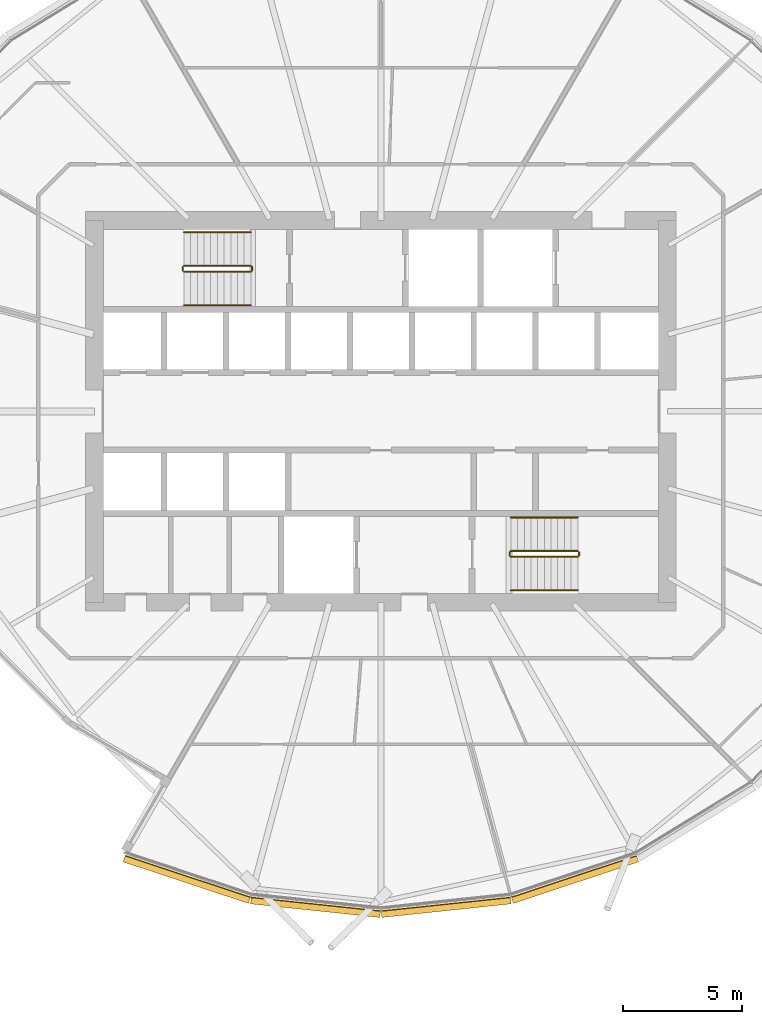
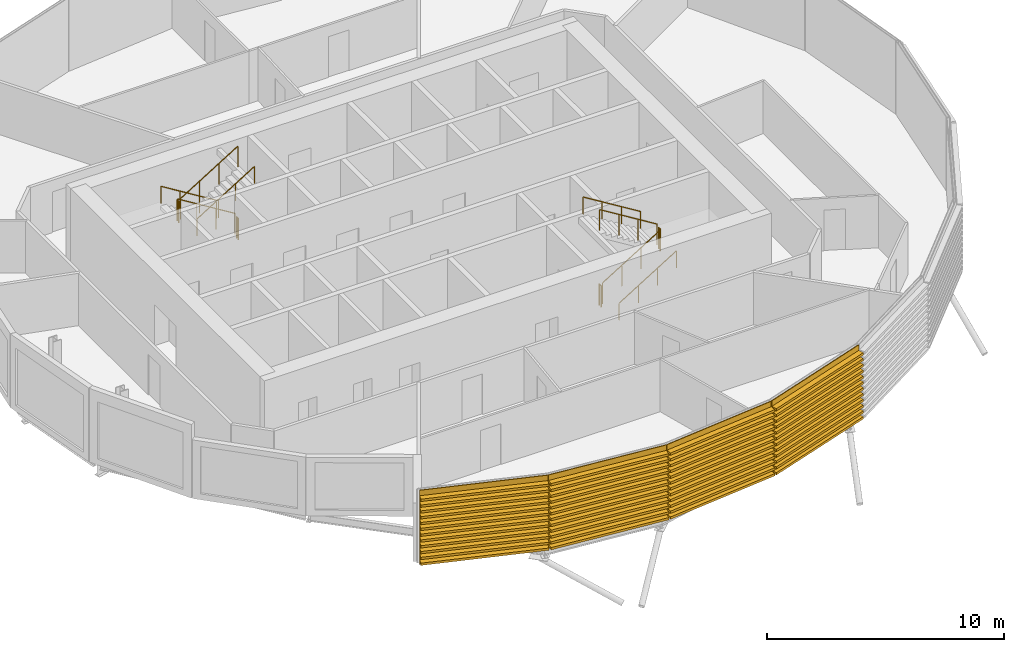
# One storey, part 35 of 39: 12 railings, 4 coverings.
"""IFC4 building model written with IfcOpenShell, lengths in metres."""

import ifcopenshell
import ifcopenshell.guid

model = None  # the IFC model being written
_history = None  # IfcOwnerHistory: only IFC2X3 demands one
_inside = {}  # id of a spatial element -> (the spatial element, [elements in it])
_under = {}  # id of a project, library or spatial element -> (it, [spatial elements below it])
_declared = {}  # id of a project -> (the project, [libraries it declares])
_typed = {}  # id of a type object -> (the type object, [elements of that type])
_made_of = {}  # id of a material, layer set ... -> (it, [elements and type objects made of it])


def new_model(schema):
    """Start an empty IFC model of exactly this schema.

    Asked for "IFC4X3", IfcOpenShell would pick the latest addendum, in which some entities
    have other attributes; the version numbers below select the first issue.
    IFC2X3 requires an IfcOwnerHistory on every rooted entity: one is made here for all.
    """
    global model, _history
    if schema == "IFC4X3":
        model = ifcopenshell.file(schema_version=(4, 3, 0, 0))
    else:
        model = ifcopenshell.file(schema=schema)
    _inside.clear()
    _under.clear()
    _declared.clear()
    _typed.clear()
    _made_of.clear()
    _history = None
    if model.schema == "IFC2X3":
        org = make("IfcOrganization", Name="unknown")
        user = make(
            "IfcPersonAndOrganization",
            ThePerson=make("IfcPerson", FamilyName="unknown"),
            TheOrganization=org,
        )
        app = make(
            "IfcApplication",
            ApplicationDeveloper=org,
            Version="unknown",
            ApplicationFullName="unknown",
            ApplicationIdentifier="unknown",
        )
        _history = make(
            "IfcOwnerHistory",
            OwningUser=user,
            OwningApplication=app,
            ChangeAction="ADDED",
            CreationDate=0,
        )
    return model


def make(cls, **values):
    """One entity of the class cls with the attributes given. An attribute that is None is left unset."""
    return model.create_entity(
        cls, **{name: value for name, value in values.items() if value is not None}
    )


def rooted(cls, **values):
    """An entity with a GlobalId (a new one), such as an element, a storey or a relation."""
    return make(cls, GlobalId=ifcopenshell.guid.new(), OwnerHistory=_history, **values)


def si_unit(unit_type, name, prefix=None):
    """IfcSIUnit, for example si_unit("LENGTHUNIT", "METRE", prefix="MILLI")."""
    return make("IfcSIUnit", UnitType=unit_type, Prefix=prefix, Name=name)


def assignment(units):
    """IfcUnitAssignment: the units of a project."""
    return None if units is None else make("IfcUnitAssignment", Units=units)


def point(xyz):
    """IfcCartesianPoint."""
    return None if xyz is None else make("IfcCartesianPoint", Coordinates=xyz)


def direction(xyz):
    """IfcDirection."""
    return None if xyz is None else make("IfcDirection", DirectionRatios=xyz)


def frame(location, z_axis=None, x_axis=None):
    """IfcAxis2Placement3D, a coordinate frame: its origin and axes. An axis left out is left unset."""
    return make(
        "IfcAxis2Placement3D",
        Location=point(location),
        Axis=direction(z_axis),
        RefDirection=direction(x_axis),
    )


def frame_2d(location, x_axis=None):
    """IfcAxis2Placement2D, a coordinate frame in the plane: its origin and x axis."""
    return make(
        "IfcAxis2Placement2D", Location=point(location), RefDirection=direction(x_axis)
    )


def origin():
    """The frame at (0, 0, 0) with its axes left unset."""
    return frame((0.0, 0.0, 0.0))


def origin_2d():
    """The frame at (0, 0) in the plane with its x axis left unset."""
    return frame_2d((0.0, 0.0))


def place(relative_to, where):
    """IfcLocalPlacement: puts the frame where relative to a parent placement (None: the world)."""
    return make(
        "IfcLocalPlacement", PlacementRelTo=relative_to, RelativePlacement=where
    )


def context(
    kind, dimensions, precision=None, world=None, true_north=None, identifier=None
):
    """IfcGeometricRepresentationContext, for example the 3D "Model" context."""
    return make(
        "IfcGeometricRepresentationContext",
        ContextIdentifier=identifier,
        ContextType=kind,
        CoordinateSpaceDimension=dimensions,
        Precision=precision,
        WorldCoordinateSystem=world,
        TrueNorth=true_north,
    )


def subcontext(parent, identifier, kind, view, scale=None):
    """IfcGeometricRepresentationSubContext, for example "Body" below "Model"."""
    return make(
        "IfcGeometricRepresentationSubContext",
        ContextIdentifier=identifier,
        ContextType=kind,
        ParentContext=parent,
        TargetScale=scale,
        TargetView=view,
    )


def project(units=None, contexts=None):
    """IfcProject with its units and contexts."""
    return rooted(
        "IfcProject",
        Name="project",
        RepresentationContexts=contexts,
        UnitsInContext=assignment(units),
    )


def spatial(cls, under=None, at=None, **own):
    """A site, building, storey or space (cls), placed at a placement, below another one or the project."""
    s = rooted(cls, ObjectPlacement=at, **own)
    if under is not None:
        _under.setdefault(under.id(), (under, []))[1].append(s)
    return s


def polyline(points):
    """IfcPolyline through the points."""
    return make("IfcPolyline", Points=[point(p) for p in points])


def profile(cls, at=None, kind="AREA", **sizes):
    """A parametric profile (cls). Its sizes go by their IFC names, for example OverallWidth=200.0."""
    return make(cls, ProfileType=kind, Position=at, **sizes)


def circle(**sizes):
    """IfcCircleProfileDef."""
    return profile("IfcCircleProfileDef", **sizes)


def outline(outer, holes=None, kind="AREA"):
    """IfcArbitraryClosedProfileDef: a profile drawn as a closed curve; with holes, ...WithVoids."""
    if holes is None:
        return make("IfcArbitraryClosedProfileDef", ProfileType=kind, OuterCurve=outer)
    return make(
        "IfcArbitraryProfileDefWithVoids",
        ProfileType=kind,
        OuterCurve=outer,
        InnerCurves=holes,
    )


def extrude(swept, where, along, depth):
    """IfcExtrudedAreaSolid: the profile swept, set in the frame where, extruded along a direction by depth."""
    return make(
        "IfcExtrudedAreaSolid",
        SweptArea=swept,
        Position=where,
        ExtrudedDirection=direction(along),
        Depth=depth,
    )


def shape(context_of_items, identifier, shape_type, items):
    """IfcShapeRepresentation: the items that make up one representation, for example the "Body"."""
    return make(
        "IfcShapeRepresentation",
        ContextOfItems=context_of_items,
        RepresentationIdentifier=identifier,
        RepresentationType=shape_type,
        Items=items,
    )


def material(Name=None, Category=None):
    """IfcMaterial."""
    return make("IfcMaterial", Name=Name, Category=Category)


def material_profile(
    of_material, cross_section, Name=None, Category=None, Priority=None
):
    """IfcMaterialProfile: a cross section and its material."""
    return make(
        "IfcMaterialProfile",
        Name=Name,
        Material=of_material,
        Profile=cross_section,
        Priority=Priority,
        Category=Category,
    )


def profile_set(profiles, Name=None, composite=None):
    """IfcMaterialProfileSet."""
    return make(
        "IfcMaterialProfileSet",
        Name=Name,
        MaterialProfiles=profiles,
        CompositeProfile=composite,
    )


def made_of(thing, what):
    """Note that an element or type object is made of a material, layer set ...; save() writes the relation."""
    if what is not None:
        _made_of.setdefault(what.id(), (what, []))[1].append(thing)
    return thing


def type_object(cls, material=None, **own):
    """A type object (cls), such as IfcWallType, which elements share."""
    return made_of(rooted(cls, **own), material)


def element(
    cls,
    number,
    at=None,
    inside=None,
    cuts=None,
    type_object=None,
    material=None,
    context=None,
    identifier="Body",
    shape_type=None,
    held_by="IfcProductDefinitionShape",
    body=None,
    shapes=None,
    **own,
):
    """One element of the class cls, such as IfcWall. Its Tag is "e" and its number.

    at: its placement. inside: the storey or other place that contains it. cuts: it is an
    opening in that element (IfcRelVoidsElement). A single representation is given by context,
    identifier, shape_type and body (its items); several are given by shapes. held_by: the class
    of the entity that holds the representations. save() writes the other relations.
    """
    e = rooted(cls, Tag="e%d" % number, ObjectPlacement=at, **own)
    if body is not None:
        shapes = [shape(context, identifier, shape_type, body)]
    if shapes is not None:
        e.Representation = make(held_by, Representations=shapes)
    if inside is not None:
        _inside.setdefault(inside.id(), (inside, []))[1].append(e)
    if cuts is not None:
        rooted(
            "IfcRelVoidsElement", RelatingBuildingElement=cuts, RelatedOpeningElement=e
        )
    if type_object is not None:
        _typed.setdefault(type_object.id(), (type_object, []))[1].append(e)
    return made_of(e, material)


def aggregate(whole, parts):
    """IfcRelAggregates: a whole, such as a stair, and the parts it consists of."""
    return rooted("IfcRelAggregates", RelatingObject=whole, RelatedObjects=parts)


def save(model, path):
    """Write the relations noted so far, then the file.

    IfcRelAggregates (storeys below a building ...), IfcRelContainedInSpatialStructure (elements
    in a storey), IfcRelDefinesByType, IfcRelAssociatesMaterial and IfcRelDeclares: one each for
    every whole, place, type object, material and project.
    """
    for whole, parts in _under.values():
        aggregate(whole, parts)
    for where, things in _inside.values():
        rooted(
            "IfcRelContainedInSpatialStructure",
            RelatedElements=things,
            RelatingStructure=where,
        )
    for kind, things in _typed.values():
        rooted("IfcRelDefinesByType", RelatedObjects=things, RelatingType=kind)
    for what, things in _made_of.values():
        rooted("IfcRelAssociatesMaterial", RelatedObjects=things, RelatingMaterial=what)
    for by, libraries in _declared.values():
        rooted("IfcRelDeclares", RelatingContext=by, RelatedDefinitions=libraries)
    model.write(path)


model = new_model("IFC4")

# Units and contexts
model_context = context("Model", 3, precision=1e-05, world=origin(), true_north=direction((0.0, 1.0)))
body_context = subcontext(model_context, "Body", "Model", "MODEL_VIEW")
ifc_project = project(units=[si_unit("LENGTHUNIT", "METRE"), si_unit("AREAUNIT", "SQUARE_METRE"), si_unit("VOLUMEUNIT", "CUBIC_METRE"), si_unit("PLANEANGLEUNIT", "RADIAN"), si_unit("MASSUNIT", "GRAM", prefix="KILO")], contexts=[model_context])

# Site, building, storey
site_placement = place(None, origin())
site = spatial("IfcSite", under=ifc_project, at=site_placement, CompositionType="ELEMENT")
building_placement = place(site_placement, origin())
building = spatial("IfcBuilding", under=site, at=building_placement, Name="Rimbun Link Towers", CompositionType="ELEMENT")
storey_placement = place(building_placement, frame((0.0, 0.0, 112.0)))
storey = spatial("IfcBuildingStorey", under=building, at=storey_placement, Name="L27", CompositionType="ELEMENT", Elevation=112.0)

# Railings
ifc_material_1 = material(Name="Stainless steel grade 316", Category="steel")
railing_type_1 = type_object("IfcRailingType", Name="Stair guard", PredefinedType="GUARDRAIL", material=ifc_material_1)
railing_1_placement = place(storey_placement, frame((-37.199951171875, 6.10009765625, 0.172607421875)))
element("IfcRailing", 1, at=railing_1_placement, inside=storey, type_object=railing_type_1, Name="L27 ST1 stair guard 1", PredefinedType="GUARDRAIL", context=body_context, shape_type="SweptSolid", body=[
    extrude(circle(Radius=0.02392578125, at=origin_2d()), frame((0.0, 0.0, 1.076171875), z_axis=(-0.851089632645, 0.0, 0.525020415988), x_axis=(0.0, -1.0, 0.0)), (0.0, 0.0, 1.0), 3.2900390625),
    extrude(circle(Radius=0.02099609375, at=origin_2d()), origin(), (0.0, 0.0, 1.0), 1.052001953125),
    extrude(circle(Radius=0.02099609375, at=origin_2d()), frame((-0.933349609375, 0.0, 0.57568359375)), (0.0, 0.0, 1.0), 1.052001953125),
    extrude(circle(Radius=0.02099609375, at=origin_2d()), frame((-1.86669921875, 0.0, 1.151611328125)), (0.0, 0.0, 1.0), 1.052001953125),
    extrude(circle(Radius=0.02099609375, at=origin_2d()), frame((-2.800048828125, 0.0, 1.727294921875)), (0.0, 0.0, 1.0), 1.052001953125),
])
railing_2_placement = place(storey_placement, frame((-40.050048828125, 6.050048828125, 1.89990234375)))
element("IfcRailing", 2, at=railing_2_placement, inside=storey, type_object=railing_type_1, Name="L27 ST1 stair guard 2", PredefinedType="GUARDRAIL", context=body_context, shape_type="SweptSolid", body=[
    extrude(circle(Radius=0.02392578125, at=origin_2d()), frame((0.0, 0.0, 1.076171875), z_axis=(0.0, -1.0, 0.0), x_axis=(1.0, 0.0, 0.0)), (0.0, 0.0, 1.0), 0.150146484375),
    extrude(circle(Radius=0.02099609375, at=origin_2d()), origin(), (0.0, 0.0, 1.0), 1.052001953125),
    extrude(circle(Radius=0.02099609375, at=origin_2d()), frame((0.0, -0.150146484375, 0.0)), (0.0, 0.0, 1.0), 1.052001953125),
])
railing_3_placement = place(storey_placement, frame((-40.0, 5.85009765625, 2.07275390625)))
element("IfcRailing", 3, at=railing_3_placement, inside=storey, type_object=railing_type_1, Name="L27 ST1 stair guard 3", PredefinedType="GUARDRAIL", context=body_context, shape_type="SweptSolid", body=[
    extrude(circle(Radius=0.02392578125, at=origin_2d()), frame((0.0, 0.0, 1.076171875), z_axis=(0.851089632645, 0.0, 0.525020415988), x_axis=(0.0, 1.0, 0.0)), (0.0, 0.0, 1.0), 3.2900390625),
    extrude(circle(Radius=0.02099609375, at=origin_2d()), origin(), (0.0, 0.0, 1.0), 1.052001953125),
    extrude(circle(Radius=0.02099609375, at=origin_2d()), frame((0.933349609375, 0.0, 0.57568359375)), (0.0, 0.0, 1.0), 1.052001953125),
    extrude(circle(Radius=0.02099609375, at=origin_2d()), frame((1.86669921875, 0.0, 1.151611328125)), (0.0, 0.0, 1.0), 1.052001953125),
    extrude(circle(Radius=0.02099609375, at=origin_2d()), frame((2.800048828125, 0.0, 1.727294921875)), (0.0, 0.0, 1.0), 1.052001953125),
])
railing_4_placement = place(storey_placement, frame((-37.14990234375, 6.050048828125, 0.0)))
element("IfcRailing", 4, at=railing_4_placement, inside=storey, type_object=railing_type_1, Name="L27 ST1 stair guard 4", PredefinedType="GUARDRAIL", context=body_context, shape_type="SweptSolid", body=[
    extrude(circle(Radius=0.02392578125, at=origin_2d()), frame((0.0, 0.0, 1.076171875), z_axis=(0.0, -1.0, 0.0), x_axis=(1.0, 0.0, 0.0)), (0.0, 0.0, 1.0), 0.150146484375),
    extrude(circle(Radius=0.02099609375, at=origin_2d()), origin(), (0.0, 0.0, 1.0), 1.052001953125),
    extrude(circle(Radius=0.02099609375, at=origin_2d()), frame((0.0, -0.150146484375, 0.0)), (0.0, 0.0, 1.0), 1.052001953125),
])
railing_5_placement = place(storey_placement, frame((-26.300048828125, -6.10009765625, 0.172607421875)))
element("IfcRailing", 5, at=railing_5_placement, inside=storey, type_object=railing_type_1, Name="L27 ST2 stair guard 1", PredefinedType="GUARDRAIL", context=body_context, shape_type="SweptSolid", body=[
    extrude(circle(Radius=0.02392578125, at=origin_2d()), frame((0.0, 0.0, 1.076171875), z_axis=(0.851089632645, 0.0, 0.525020415988), x_axis=(0.0, 1.0, 0.0)), (0.0, 0.0, 1.0), 3.2900390625),
    extrude(circle(Radius=0.02099609375, at=origin_2d()), origin(), (0.0, 0.0, 1.0), 1.052001953125),
    extrude(circle(Radius=0.02099609375, at=origin_2d()), frame((0.933349609375, 0.0, 0.57568359375)), (0.0, 0.0, 1.0), 1.052001953125),
    extrude(circle(Radius=0.02099609375, at=origin_2d()), frame((1.86669921875, 0.0, 1.151611328125)), (0.0, 0.0, 1.0), 1.052001953125),
    extrude(circle(Radius=0.02099609375, at=origin_2d()), frame((2.800048828125, 0.0, 1.727294921875)), (0.0, 0.0, 1.0), 1.052001953125),
])
railing_6_placement = place(storey_placement, frame((-23.449951171875, -6.050048828125, 1.89990234375)))
element("IfcRailing", 6, at=railing_6_placement, inside=storey, type_object=railing_type_1, Name="L27 ST2 stair guard 2", PredefinedType="GUARDRAIL", context=body_context, shape_type="SweptSolid", body=[
    extrude(circle(Radius=0.02392578125, at=origin_2d()), frame((0.0, 0.0, 1.076171875), z_axis=(0.0, 1.0, 0.0), x_axis=(-1.0, 0.0, 0.0)), (0.0, 0.0, 1.0), 0.150146484375),
    extrude(circle(Radius=0.02099609375, at=origin_2d()), origin(), (0.0, 0.0, 1.0), 1.052001953125),
    extrude(circle(Radius=0.02099609375, at=origin_2d()), frame((0.0, 0.150146484375, 0.0)), (0.0, 0.0, 1.0), 1.052001953125),
])
railing_7_placement = place(storey_placement, frame((-23.5, -5.85009765625, 2.07275390625)))
element("IfcRailing", 7, at=railing_7_placement, inside=storey, type_object=railing_type_1, Name="L27 ST2 stair guard 3", PredefinedType="GUARDRAIL", context=body_context, shape_type="SweptSolid", body=[
    extrude(circle(Radius=0.02392578125, at=origin_2d()), frame((0.0, 0.0, 1.076171875), z_axis=(-0.851089632645, 0.0, 0.525020415988), x_axis=(0.0, -1.0, 0.0)), (0.0, 0.0, 1.0), 3.2900390625),
    extrude(circle(Radius=0.02099609375, at=origin_2d()), origin(), (0.0, 0.0, 1.0), 1.052001953125),
    extrude(circle(Radius=0.02099609375, at=origin_2d()), frame((-0.933349609375, 0.0, 0.57568359375)), (0.0, 0.0, 1.0), 1.052001953125),
    extrude(circle(Radius=0.02099609375, at=origin_2d()), frame((-1.86669921875, 0.0, 1.151611328125)), (0.0, 0.0, 1.0), 1.052001953125),
    extrude(circle(Radius=0.02099609375, at=origin_2d()), frame((-2.800048828125, 0.0, 1.727294921875)), (0.0, 0.0, 1.0), 1.052001953125),
])
railing_8_placement = place(storey_placement, frame((-26.35009765625, -6.050048828125, 0.0)))
element("IfcRailing", 8, at=railing_8_placement, inside=storey, type_object=railing_type_1, Name="L27 ST2 stair guard 4", PredefinedType="GUARDRAIL", context=body_context, shape_type="SweptSolid", body=[
    extrude(circle(Radius=0.02392578125, at=origin_2d()), frame((0.0, 0.0, 1.076171875), z_axis=(0.0, 1.0, 0.0), x_axis=(-1.0, 0.0, 0.0)), (0.0, 0.0, 1.0), 0.150146484375),
    extrude(circle(Radius=0.02099609375, at=origin_2d()), origin(), (0.0, 0.0, 1.0), 1.052001953125),
    extrude(circle(Radius=0.02099609375, at=origin_2d()), frame((0.0, 0.150146484375, 0.0)), (0.0, 0.0, 1.0), 1.052001953125),
])
ifc_material_2 = material(Name="Stainless steel grade 316", Category="steel")
railing_type_2 = type_object("IfcRailingType", Name="Stair handrail", PredefinedType="HANDRAIL", material=ifc_material_2)
railing_9_placement = place(storey_placement, frame((-37.199951171875, 7.5, 0.172607421875)))
element("IfcRailing", 9, at=railing_9_placement, inside=storey, type_object=railing_type_2, Name="L27 ST1 stair handrail 1", PredefinedType="HANDRAIL", context=body_context, shape_type="SweptSolid", body=[
    extrude(circle(Radius=0.02392578125, at=origin_2d()), frame((0.0, 0.0, 0.8759765625), z_axis=(-0.851089632645, 0.0, 0.525020415988), x_axis=(0.0, -1.0, 0.0)), (0.0, 0.0, 1.0), 3.2900390625),
    extrude(circle(Radius=0.02099609375, at=origin_2d()), origin(), (0.0, 0.0, 1.0), 0.851806640625),
    extrude(circle(Radius=0.02099609375, at=origin_2d()), frame((-0.933349609375, 0.0, 0.57568359375)), (0.0, 0.0, 1.0), 0.851806640625),
    extrude(circle(Radius=0.02099609375, at=origin_2d()), frame((-1.86669921875, 0.0, 1.151611328125)), (0.0, 0.0, 1.0), 0.851806640625),
    extrude(circle(Radius=0.02099609375, at=origin_2d()), frame((-2.800048828125, 0.0, 1.727294921875)), (0.0, 0.0, 1.0), 0.851806640625),
])
for number, where, name in (
    (10, (-40.0, 4.449951171875, 2.07275390625), "L27 ST1 stair handrail 2"),
    (11, (-26.300048828125, -7.5, 0.172607421875), "L27 ST2 stair handrail 1"),
):
    element("IfcRailing", number, at=place(storey_placement, frame(where)), inside=storey, type_object=railing_type_2, Name=name, PredefinedType="HANDRAIL", context=body_context, shape_type="SweptSolid", body=[
        extrude(circle(Radius=0.02392578125, at=origin_2d()), frame((0.0, 0.0, 0.8759765625), z_axis=(0.851089632645, 0.0, 0.525020415988), x_axis=(0.0, 1.0, 0.0)), (0.0, 0.0, 1.0), 3.2900390625),
        extrude(circle(Radius=0.02099609375, at=origin_2d()), origin(), (0.0, 0.0, 1.0), 0.851806640625),
        extrude(circle(Radius=0.02099609375, at=origin_2d()), frame((0.933349609375, 0.0, 0.57568359375)), (0.0, 0.0, 1.0), 0.851806640625),
        extrude(circle(Radius=0.02099609375, at=origin_2d()), frame((1.86669921875, 0.0, 1.151611328125)), (0.0, 0.0, 1.0), 0.851806640625),
        extrude(circle(Radius=0.02099609375, at=origin_2d()), frame((2.800048828125, 0.0, 1.727294921875)), (0.0, 0.0, 1.0), 0.851806640625),
    ])
railing_10_placement = place(storey_placement, frame((-23.5, -4.449951171875, 2.07275390625)))
element("IfcRailing", 12, at=railing_10_placement, inside=storey, type_object=railing_type_2, Name="L27 ST2 stair handrail 2", PredefinedType="HANDRAIL", context=body_context, shape_type="SweptSolid", body=[
    extrude(circle(Radius=0.02392578125, at=origin_2d()), frame((0.0, 0.0, 0.8759765625), z_axis=(-0.851089632645, 0.0, 0.525020415988), x_axis=(0.0, -1.0, 0.0)), (0.0, 0.0, 1.0), 3.2900390625),
    extrude(circle(Radius=0.02099609375, at=origin_2d()), origin(), (0.0, 0.0, 1.0), 0.851806640625),
    extrude(circle(Radius=0.02099609375, at=origin_2d()), frame((-0.933349609375, 0.0, 0.57568359375)), (0.0, 0.0, 1.0), 0.851806640625),
    extrude(circle(Radius=0.02099609375, at=origin_2d()), frame((-1.86669921875, 0.0, 1.151611328125)), (0.0, 0.0, 1.0), 0.851806640625),
    extrude(circle(Radius=0.02099609375, at=origin_2d()), frame((-2.800048828125, 0.0, 1.727294921875)), (0.0, 0.0, 1.0), 0.851806640625),
])

# Coverings
ifc_material_3 = material(Name="Terracotta", Category="masonry")
ifc_material_profile = material_profile(ifc_material_3, outline(polyline([(0.123046875, 0.0), (0.1630859375, 0.0), (0.1630859375, 0.10009765625), (0.423095703125, 0.10009765625), (0.423095703125, 0.219970703125), (0.1630859375, 0.219970703125), (0.1630859375, 0.39990234375), (0.423095703125, 0.39990234375), (0.423095703125, 0.52001953125), (0.1630859375, 0.52001953125), (0.1630859375, 0.699951171875), (0.423095703125, 0.699951171875), (0.423095703125, 0.820068359375), (0.1630859375, 0.820068359375), (0.1630859375, 1.0), (0.423095703125, 1.0), (0.423095703125, 1.1201171875), (0.1630859375, 1.1201171875), (0.1630859375, 1.300048828125), (0.423095703125, 1.300048828125), (0.423095703125, 1.419921875), (0.1630859375, 1.419921875), (0.1630859375, 1.60009765625), (0.423095703125, 1.60009765625), (0.423095703125, 1.719970703125), (0.1630859375, 1.719970703125), (0.1630859375, 1.89990234375), (0.423095703125, 1.89990234375), (0.423095703125, 2.02001953125), (0.1630859375, 2.02001953125), (0.1630859375, 2.199951171875), (0.423095703125, 2.199951171875), (0.423095703125, 2.320068359375), (0.1630859375, 2.320068359375), (0.1630859375, 2.5), (0.423095703125, 2.5), (0.423095703125, 2.6201171875), (0.1630859375, 2.6201171875), (0.1630859375, 2.800048828125), (0.423095703125, 2.800048828125), (0.423095703125, 2.919921875), (0.1630859375, 2.919921875), (0.1630859375, 3.10009765625), (0.423095703125, 3.10009765625), (0.423095703125, 3.219970703125), (0.1630859375, 3.219970703125), (0.1630859375, 3.39990234375), (0.423095703125, 3.39990234375), (0.423095703125, 3.52001953125), (0.1630859375, 3.52001953125), (0.1630859375, 3.800048828125), (0.123046875, 3.800048828125), (0.123046875, 0.0)])), Name="BAGUETTE 120X300")
ifc_profile_set = profile_set([ifc_material_profile], Name="Terracotta")
covering_type = type_object("IfcCoveringType", Name="TERRACOTTA BAGUETTE 120X300 H3800", PredefinedType="CLADDING", material=ifc_profile_set)
covering_1_placement = place(storey_placement, frame((-37.167236328125, -20.217529296875, 0.0), z_axis=(-0.949237947601, 0.314558927445, 0.0), x_axis=(-0.314558927445, -0.949237947601, 0.0)))
element("IfcCovering", 13, at=covering_1_placement, inside=storey, type_object=covering_type, Name="TERRACOTTA BAGUETTE", PredefinedType="CLADDING", context=body_context, shape_type="SweptSolid", body=[
    extrude(outline(polyline([(0.123046875, 0.0), (0.1630859375, 0.0), (0.1630859375, 0.10009765625), (0.423095703125, 0.10009765625), (0.423095703125, 0.219970703125), (0.1630859375, 0.219970703125), (0.1630859375, 0.39990234375), (0.423095703125, 0.39990234375), (0.423095703125, 0.52001953125), (0.1630859375, 0.52001953125), (0.1630859375, 0.699951171875), (0.423095703125, 0.699951171875), (0.423095703125, 0.820068359375), (0.1630859375, 0.820068359375), (0.1630859375, 1.0), (0.423095703125, 1.0), (0.423095703125, 1.1201171875), (0.1630859375, 1.1201171875), (0.1630859375, 1.300048828125), (0.423095703125, 1.300048828125), (0.423095703125, 1.419921875), (0.1630859375, 1.419921875), (0.1630859375, 1.60009765625), (0.423095703125, 1.60009765625), (0.423095703125, 1.719970703125), (0.1630859375, 1.719970703125), (0.1630859375, 1.89990234375), (0.423095703125, 1.89990234375), (0.423095703125, 2.02001953125), (0.1630859375, 2.02001953125), (0.1630859375, 2.199951171875), (0.423095703125, 2.199951171875), (0.423095703125, 2.320068359375), (0.1630859375, 2.320068359375), (0.1630859375, 2.5), (0.423095703125, 2.5), (0.423095703125, 2.6201171875), (0.1630859375, 2.6201171875), (0.1630859375, 2.800048828125), (0.423095703125, 2.800048828125), (0.423095703125, 2.919921875), (0.1630859375, 2.919921875), (0.1630859375, 3.10009765625), (0.423095703125, 3.10009765625), (0.423095703125, 3.219970703125), (0.1630859375, 3.219970703125), (0.1630859375, 3.39990234375), (0.423095703125, 3.39990234375), (0.423095703125, 3.52001953125), (0.1630859375, 3.52001953125), (0.1630859375, 3.800048828125), (0.123046875, 3.800048828125), (0.123046875, 0.0)])), origin(), (0.0, 0.0, 1.0), 5.531494140625),
])
for number, where, z_axis, x_axis, name in (
    (14, (-31.75, -20.7880859375, 0.0), (-0.994499311557, 0.104743111051, 0.0), (-0.104743111051, -0.994499311557, 0.0), "TERRACOTTA BAGUETTE"),
    (15, (-26.332763671875, -20.217529296875, 0.0), (-0.994499311557, -0.104743111051, 0.0), (0.104743111051, -0.994499311557, 0.0), "TERRACOTTA BAGUETTE"),
):
    element("IfcCovering", number, at=place(storey_placement, frame(where, z_axis=z_axis, x_axis=x_axis)), inside=storey, type_object=covering_type, Name=name, PredefinedType="CLADDING", context=body_context, shape_type="SweptSolid", body=[
        extrude(outline(polyline([(0.123046875, 0.0), (0.1630859375, 0.0), (0.1630859375, 0.10009765625), (0.423095703125, 0.10009765625), (0.423095703125, 0.219970703125), (0.1630859375, 0.219970703125), (0.1630859375, 0.39990234375), (0.423095703125, 0.39990234375), (0.423095703125, 0.52001953125), (0.1630859375, 0.52001953125), (0.1630859375, 0.699951171875), (0.423095703125, 0.699951171875), (0.423095703125, 0.820068359375), (0.1630859375, 0.820068359375), (0.1630859375, 1.0), (0.423095703125, 1.0), (0.423095703125, 1.1201171875), (0.1630859375, 1.1201171875), (0.1630859375, 1.300048828125), (0.423095703125, 1.300048828125), (0.423095703125, 1.419921875), (0.1630859375, 1.419921875), (0.1630859375, 1.60009765625), (0.423095703125, 1.60009765625), (0.423095703125, 1.719970703125), (0.1630859375, 1.719970703125), (0.1630859375, 1.89990234375), (0.423095703125, 1.89990234375), (0.423095703125, 2.02001953125), (0.1630859375, 2.02001953125), (0.1630859375, 2.199951171875), (0.423095703125, 2.199951171875), (0.423095703125, 2.320068359375), (0.1630859375, 2.320068359375), (0.1630859375, 2.5), (0.423095703125, 2.5), (0.423095703125, 2.6201171875), (0.1630859375, 2.6201171875), (0.1630859375, 2.800048828125), (0.423095703125, 2.800048828125), (0.423095703125, 2.919921875), (0.1630859375, 2.919921875), (0.1630859375, 3.10009765625), (0.423095703125, 3.10009765625), (0.423095703125, 3.219970703125), (0.1630859375, 3.219970703125), (0.1630859375, 3.39990234375), (0.423095703125, 3.39990234375), (0.423095703125, 3.52001953125), (0.1630859375, 3.52001953125), (0.1630859375, 3.800048828125), (0.123046875, 3.800048828125), (0.123046875, 0.0)])), origin(), (0.0, 0.0, 1.0), 5.447265625),
    ])
covering_2_placement = place(storey_placement, frame((-21.08203125, -18.4775390625, 0.0), z_axis=(-0.949237947601, -0.314558927445, 0.0), x_axis=(0.314558927445, -0.949237947601, 0.0)))
element("IfcCovering", 16, at=covering_2_placement, inside=storey, type_object=covering_type, Name="TERRACOTTA BAGUETTE", PredefinedType="CLADDING", context=body_context, shape_type="SweptSolid", body=[
    extrude(outline(polyline([(0.123046875, 0.0), (0.1630859375, 0.0), (0.1630859375, 0.10009765625), (0.423095703125, 0.10009765625), (0.423095703125, 0.219970703125), (0.1630859375, 0.219970703125), (0.1630859375, 0.39990234375), (0.423095703125, 0.39990234375), (0.423095703125, 0.52001953125), (0.1630859375, 0.52001953125), (0.1630859375, 0.699951171875), (0.423095703125, 0.699951171875), (0.423095703125, 0.820068359375), (0.1630859375, 0.820068359375), (0.1630859375, 1.0), (0.423095703125, 1.0), (0.423095703125, 1.1201171875), (0.1630859375, 1.1201171875), (0.1630859375, 1.300048828125), (0.423095703125, 1.300048828125), (0.423095703125, 1.419921875), (0.1630859375, 1.419921875), (0.1630859375, 1.60009765625), (0.423095703125, 1.60009765625), (0.423095703125, 1.719970703125), (0.1630859375, 1.719970703125), (0.1630859375, 1.89990234375), (0.423095703125, 1.89990234375), (0.423095703125, 2.02001953125), (0.1630859375, 2.02001953125), (0.1630859375, 2.199951171875), (0.423095703125, 2.199951171875), (0.423095703125, 2.320068359375), (0.1630859375, 2.320068359375), (0.1630859375, 2.5), (0.423095703125, 2.5), (0.423095703125, 2.6201171875), (0.1630859375, 2.6201171875), (0.1630859375, 2.800048828125), (0.423095703125, 2.800048828125), (0.423095703125, 2.919921875), (0.1630859375, 2.919921875), (0.1630859375, 3.10009765625), (0.423095703125, 3.10009765625), (0.423095703125, 3.219970703125), (0.1630859375, 3.219970703125), (0.1630859375, 3.39990234375), (0.423095703125, 3.39990234375), (0.423095703125, 3.52001953125), (0.1630859375, 3.52001953125), (0.1630859375, 3.800048828125), (0.123046875, 3.800048828125), (0.123046875, 0.0)])), origin(), (0.0, 0.0, 1.0), 5.531494140625),
])

save(model, "model.ifc")
